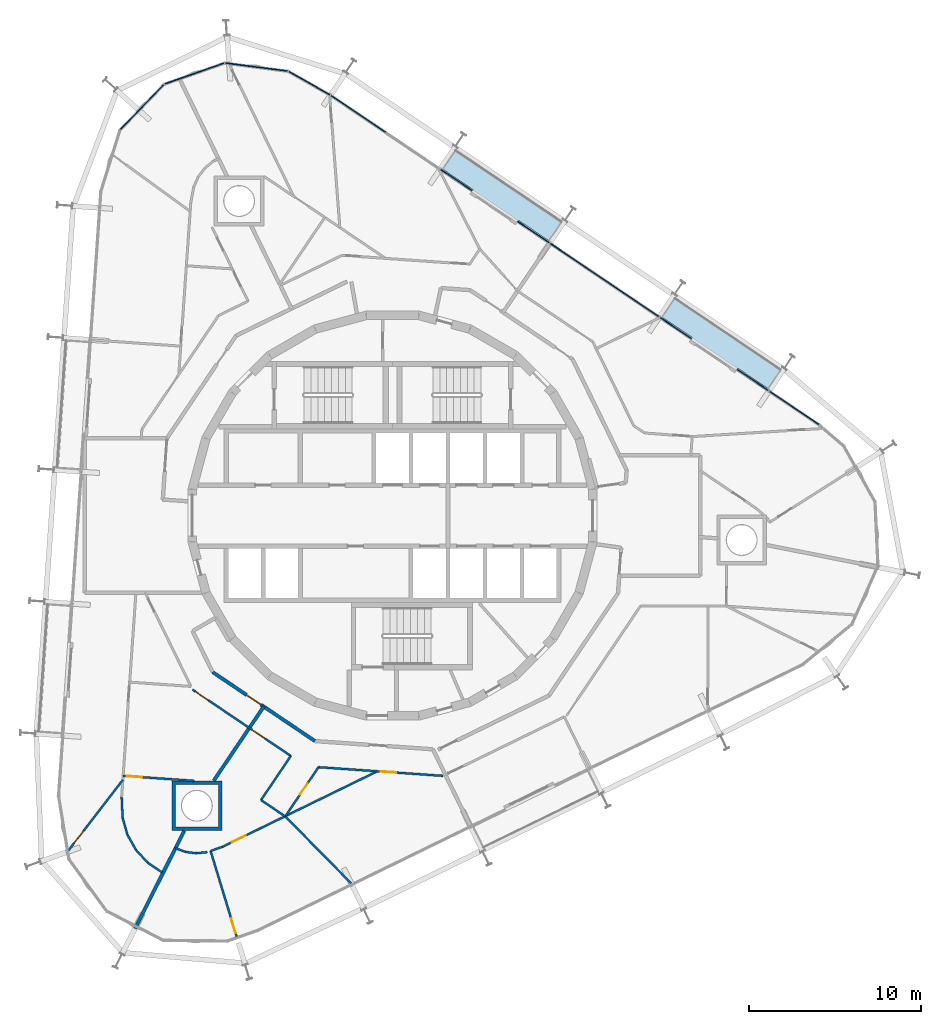
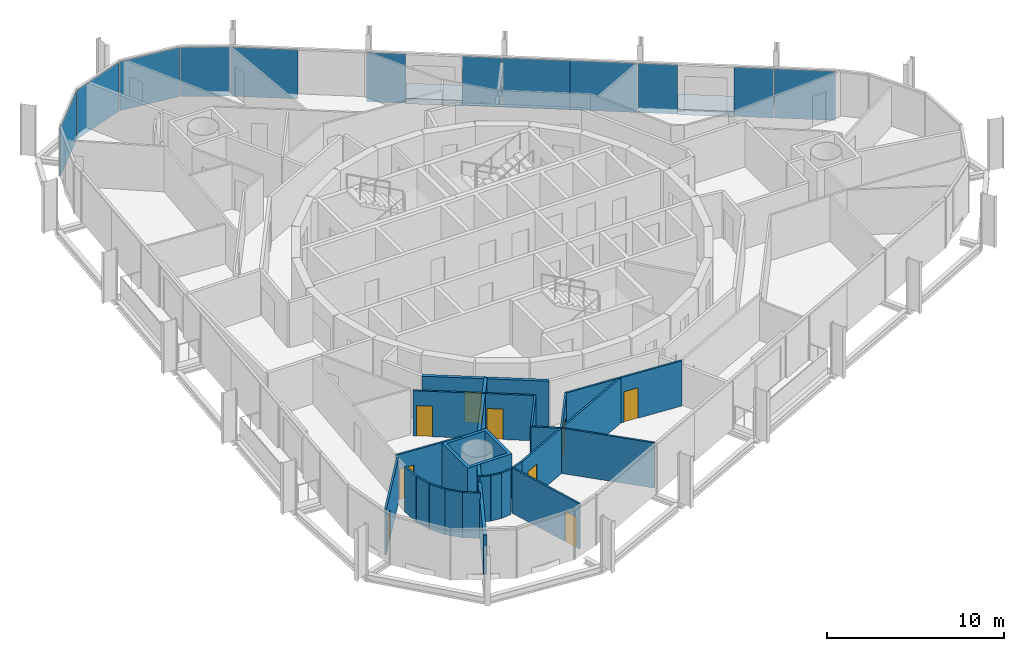
# One storey, part 11 of 17: 24 walls, 12 plates, 9 doors, 2 slabs, 9 openings, 3 elements without a shape of their own.
"""IFC4 building model written with IfcOpenShell, lengths in metres."""

from ifc_helpers import new_model, si_unit, direction, frame, frame_2d, origin, origin_2d, place, context, subcontext, project, spatial, polyline, rectangle, outline, extrude, material, layer, layer_set, type_object, element, fill, aggregate, save


model = new_model("IFC4")

# Units and contexts
model_context = context("Model", 3, precision=1e-05, world=origin(), true_north=direction((0.0, 1.0)))
body_context = subcontext(model_context, "Body", "Model", "MODEL_VIEW")
ifc_project = project(units=[si_unit("LENGTHUNIT", "METRE"), si_unit("AREAUNIT", "SQUARE_METRE"), si_unit("VOLUMEUNIT", "CUBIC_METRE"), si_unit("PLANEANGLEUNIT", "RADIAN"), si_unit("MASSUNIT", "GRAM", prefix="KILO")], contexts=[model_context])

# Site, building, storey
site_placement = place(None, origin())
site = spatial("IfcSite", under=ifc_project, at=site_placement, CompositionType="ELEMENT")
building_placement = place(site_placement, origin())
building = spatial("IfcBuilding", under=site, at=building_placement, Name="Spindle Arch Residences", CompositionType="ELEMENT")
storey_placement = place(building_placement, frame((0.0, 0.0, 212.89990234375)))
storey = spatial("IfcBuildingStorey", under=building, at=storey_placement, Name="L54", CompositionType="ELEMENT", Elevation=212.89990234375)

# Slabs
ifc_material_1 = material(Name="Concrete C40/50", Category="concrete")
ifc_layer_1 = layer(ifc_material_1, 0.3798828125)
ifc_layer_set_1 = layer_set([ifc_layer_1], Name="Balcony slab 380")
slab_type = type_object("IfcSlabType", Name="Balcony slab 380", PredefinedType="FLOOR", material=ifc_layer_set_1)
slab_1_placement = place(storey_placement, frame((0.0, 0.0, -0.3798828125)))
element("IfcSlab", 1, at=slab_1_placement, inside=storey, type_object=slab_type, Name="Balcony L54 bay 6", PredefinedType="FLOOR", context=body_context, shape_type="SweptSolid", body=[
    extrude(outline(polyline([(22.720703125, 8.594970703125), (22.658447265625, 8.63671875), (22.57470703125, 8.512451171875), (16.445068359375, 12.64697265625), (16.52880859375, 12.771240234375), (16.466796875, 12.813232421875), (15.633544921875, 11.578125), (17.43408203125, 10.363525390625), (17.344482421875, 10.23095703125), (19.99755859375, 8.44140625), (20.0869140625, 8.57421875), (21.887451171875, 7.359619140625), (22.720703125, 8.594970703125)])), origin(), (0.0, 0.0, 1.0), 0.3798828125),
])
slab_2_placement = place(storey_placement, frame((0.0, 0.0, -0.3798828125)))
element("IfcSlab", 2, at=slab_2_placement, inside=storey, type_object=slab_type, Name="Balcony L54 bay 8", PredefinedType="FLOOR", context=body_context, shape_type="SweptSolid", body=[
    extrude(outline(polyline([(9.9638671875, 17.199462890625), (9.90185546875, 17.241455078125), (9.81787109375, 17.116943359375), (3.688232421875, 21.25146484375), (3.772216796875, 21.3759765625), (3.7099609375, 21.417724609375), (2.876708984375, 20.1826171875), (4.67724609375, 18.968017578125), (4.587890625, 18.83544921875), (7.24072265625, 17.0458984375), (7.330322265625, 17.1787109375), (9.130859375, 15.964111328125), (9.9638671875, 17.199462890625)])), origin(), (0.0, 0.0, 1.0), 0.3798828125),
])

# Curtain wall, plate
ifc_material_2 = material(Name="Aluminium bronze unitised frame with tinted glass", Category="aluminium")
ifc_layer_2 = layer(ifc_material_2, 0.159912109375)
ifc_layer_set_2 = layer_set([ifc_layer_2], Name="CW-D corner wall on the fillet arcs")
curtain_wall_type_1 = type_object("IfcCurtainWallType", Name="CW-D corner wall on the fillet arcs", PredefinedType="NOTDEFINED", material=ifc_layer_set_2)
curtain_wall_1_placement = place(storey_placement, origin())
curtain_wall_1 = element("IfcCurtainWall", 3, at=curtain_wall_1_placement, inside=storey, type_object=curtain_wall_type_1, Name="CW-D L54 run 1", PredefinedType="NOTDEFINED")
ifc_material_3 = material(Name="Tinted double glazing over aluminium faced non-combustible spandrel zone (K0)", Category="aluminium")
ifc_layer_3 = layer(ifc_material_3, 0.06005859375)
ifc_layer_set_3 = layer_set([ifc_layer_3], Name="Unitised glass panel with E 60 spandrel zone")
plate_type = type_object("IfcPlateType", Name="Unitised glass panel with E 60 spandrel zone", PredefinedType="CURTAIN_PANEL", material=ifc_layer_set_3)
plate_1_placement = place(storey_placement, frame((23.36767578125, 6.264892578125, -0.3798828125), z_axis=(0.0, 0.0, 1.0), x_axis=(-0.829037572555, 0.559192903471, 0.0)))
plate_1 = element("IfcPlate", 4, at=plate_1_placement, type_object=plate_type, Name="CW-D unit 06", PredefinedType="CURTAIN_PANEL", context=body_context, shape_type="SweptSolid", body=[
    extrude(rectangle(XDim=3.468505859375, YDim=0.06005859375, at=origin_2d()), origin(), (0.0, 0.0, 1.0), 3.3798828125),
])
aggregate(curtain_wall_1, [plate_1])

# Curtain wall, plates
ifc_material_4 = material(Name="Aluminium bronze unitised frame with tinted glass", Category="aluminium")
ifc_layer_4 = layer(ifc_material_4, 0.159912109375)
ifc_layer_set_4 = layer_set([ifc_layer_4], Name="CW-C typical residential unitised wall")
curtain_wall_type_2 = type_object("IfcCurtainWallType", Name="CW-C typical residential unitised wall", PredefinedType="NOTDEFINED", material=ifc_layer_set_4)
curtain_wall_2_placement = place(storey_placement, origin())
curtain_wall_2 = element("IfcCurtainWall", 5, at=curtain_wall_2_placement, inside=storey, type_object=curtain_wall_type_2, Name="CW-C L54 run 2", PredefinedType="NOTDEFINED")
plate_2_placement = place(storey_placement, frame((20.961181640625, 7.887939453125, -0.3798828125), z_axis=(0.0, 0.0, 1.0), x_axis=(-0.829037572555, 0.559192903471, 0.0)))
plate_2 = element("IfcPlate", 6, at=plate_2_placement, type_object=plate_type, Name="CW-C unit 05L", PredefinedType="CURTAIN_PANEL", context=body_context, shape_type="SweptSolid", body=[
    extrude(rectangle(XDim=2.216796875, YDim=0.06005859375, at=origin_2d()), origin(), (0.0, 0.0, 1.0), 3.3798828125),
])
plate_3_placement = place(storey_placement, frame((16.470458984375, 10.9169921875, -0.3798828125), z_axis=(0.0, 0.0, 1.0), x_axis=(-0.829037572555, 0.559192903471, 0.0)))
plate_3 = element("IfcPlate", 7, at=plate_3_placement, type_object=plate_type, Name="CW-C unit 05R", PredefinedType="CURTAIN_PANEL", context=body_context, shape_type="SweptSolid", body=[
    extrude(rectangle(XDim=2.216796875, YDim=0.06005859375, at=origin_2d()), origin(), (0.0, 0.0, 1.0), 3.3798828125),
])
plate_4_placement = place(storey_placement, frame((13.919677734375, 12.6376953125, -0.3798828125), z_axis=(0.0, 0.0, 1.0), x_axis=(-0.829037572555, 0.559192903471, 0.0)))
plate_4 = element("IfcPlate", 8, at=plate_4_placement, type_object=plate_type, Name="CW-C unit 06A", PredefinedType="CURTAIN_PANEL", context=body_context, shape_type="SweptSolid", body=[
    extrude(rectangle(XDim=3.81689453125, YDim=0.06005859375, at=origin_2d()), origin(), (0.0, 0.0, 1.0), 3.3798828125),
])
plate_5_placement = place(storey_placement, frame((10.75537109375, 14.77197265625, -0.3798828125), z_axis=(0.0, 0.0, 1.0), x_axis=(-0.829037572555, 0.559192903471, 0.0)))
plate_5 = element("IfcPlate", 9, at=plate_5_placement, type_object=plate_type, Name="CW-C unit 06B", PredefinedType="CURTAIN_PANEL", context=body_context, shape_type="SweptSolid", body=[
    extrude(rectangle(XDim=3.81689453125, YDim=0.06005859375, at=origin_2d()), origin(), (0.0, 0.0, 1.0), 3.3798828125),
])
plate_6_placement = place(storey_placement, frame((8.204345703125, 16.492431640625, -0.3798828125), z_axis=(0.0, 0.0, 1.0), x_axis=(-0.829037572555, 0.559192903471, 0.0)))
plate_6 = element("IfcPlate", 10, at=plate_6_placement, type_object=plate_type, Name="CW-C unit 07L", PredefinedType="CURTAIN_PANEL", context=body_context, shape_type="SweptSolid", body=[
    extrude(rectangle(XDim=2.216796875, YDim=0.06005859375, at=origin_2d()), origin(), (0.0, 0.0, 1.0), 3.3798828125),
])
plate_7_placement = place(storey_placement, frame((3.713623046875, 19.521484375, -0.3798828125), z_axis=(0.0, 0.0, 1.0), x_axis=(-0.829037572555, 0.559192903471, 0.0)))
plate_7 = element("IfcPlate", 11, at=plate_7_placement, type_object=plate_type, Name="CW-C unit 07R", PredefinedType="CURTAIN_PANEL", context=body_context, shape_type="SweptSolid", body=[
    extrude(rectangle(XDim=2.216796875, YDim=0.06005859375, at=origin_2d()), origin(), (0.0, 0.0, 1.0), 3.3798828125),
])
plate_8_placement = place(storey_placement, frame((-2.00146484375, 23.37646484375, -0.3798828125), z_axis=(0.0, 0.0, 1.0), x_axis=(-0.829037572555, 0.559192903471, 0.0)))
plate_8 = element("IfcPlate", 12, at=plate_8_placement, type_object=plate_type, Name="CW-C unit 08B", PredefinedType="CURTAIN_PANEL", context=body_context, shape_type="SweptSolid", body=[
    extrude(rectangle(XDim=3.81689453125, YDim=0.06005859375, at=origin_2d()), origin(), (0.0, 0.0, 1.0), 3.3798828125),
])
aggregate(curtain_wall_2, [plate_2, plate_3, plate_4, plate_5, plate_6, plate_7, plate_8])

curtain_wall_3_placement = place(storey_placement, origin())
curtain_wall_3 = element("IfcCurtainWall", 13, at=curtain_wall_3_placement, inside=storey, type_object=curtain_wall_type_1, Name="CW-D L54 run 3", PredefinedType="NOTDEFINED")
plate_9_placement = place(storey_placement, frame((-4.84130859375, 25.16064453125, -0.3798828125), z_axis=(0.0, 0.0, 1.0), x_axis=(-0.86953871595, 0.493864780547, 0.0)))
plate_9 = element("IfcPlate", 14, at=plate_9_placement, type_object=plate_type, Name="CW-D unit 00", PredefinedType="CURTAIN_PANEL", context=body_context, shape_type="SweptSolid", body=[
    extrude(rectangle(XDim=2.775634765625, YDim=0.06005859375, at=origin_2d()), origin(), (0.0, 0.0, 1.0), 3.3798828125),
])
plate_10_placement = place(storey_placement, frame((-7.92236328125, 26.0986328125, -0.3798828125), z_axis=(0.0, 0.0, 1.0), x_axis=(-0.991820351023, 0.127641651888, 0.0)))
plate_10 = element("IfcPlate", 15, at=plate_10_placement, type_object=plate_type, Name="CW-D unit 01", PredefinedType="CURTAIN_PANEL", context=body_context, shape_type="SweptSolid", body=[
    extrude(rectangle(XDim=3.666748046875, YDim=0.06005859375, at=origin_2d()), origin(), (0.0, 0.0, 1.0), 3.3798828125),
])
plate_11_placement = place(storey_placement, frame((-11.52880859375, 25.7197265625, -0.3798828125), z_axis=(0.0, 0.0, 1.0), x_axis=(-0.943608508302, -0.331063412445, 0.0)))
plate_11 = element("IfcPlate", 16, at=plate_11_placement, type_object=plate_type, Name="CW-D unit 02", PredefinedType="CURTAIN_PANEL", context=body_context, shape_type="SweptSolid", body=[
    extrude(rectangle(XDim=3.666748046875, YDim=0.06005859375, at=origin_2d()), origin(), (0.0, 0.0, 1.0), 3.3798828125),
])
plate_12_placement = place(storey_placement, frame((-14.58154296875, 23.762451171875, -0.3798828125), z_axis=(0.0, 0.0, 1.0), x_axis=(-0.694658368802, -0.719339801939, 0.0)))
plate_12 = element("IfcPlate", 17, at=plate_12_placement, type_object=plate_type, Name="CW-D unit 03", PredefinedType="CURTAIN_PANEL", context=body_context, shape_type="SweptSolid", body=[
    extrude(rectangle(XDim=3.666748046875, YDim=0.06005859375, at=origin_2d()), origin(), (0.0, 0.0, 1.0), 3.3798828125),
])
aggregate(curtain_wall_3, [plate_9, plate_10, plate_11, plate_12])

# Wall, opening, door
ifc_material_5 = material(Name="Calcium silicate block, plastered")
ifc_layer_5 = layer(ifc_material_5, 0.199951171875)
ifc_layer_set_5 = layer_set([ifc_layer_5], Name="Corridor wall 200")
wall_type_1 = type_object("IfcWallType", Name="Corridor wall 200", PredefinedType="STANDARD", material=ifc_layer_set_5)
wall_1_placement = place(storey_placement, frame((-10.469970703125, -9.101318359375, 0.0), z_axis=(0.0, 0.0, 1.0), x_axis=(0.829035841718, -0.559195469534, 0.0)))
wall_1 = element("IfcWall", 18, at=wall_1_placement, inside=storey, type_object=wall_type_1, Name="Corridor wall R5C1-W017", PredefinedType="STANDARD", context=body_context, shape_type="SweptSolid", body=[
    extrude(rectangle(XDim=7.18115234375, YDim=0.199951171875, at=frame_2d((3.590576171875, 0.0))), origin(), (0.0, 0.0, 1.0), 3.1201171875),
])
opening_1_placement = place(wall_1_placement, frame((2.390380859375, 0.0, 0.0)))
opening_1 = element("IfcOpeningElement", 19, at=opening_1_placement, cuts=wall_1, Name="Opening R5C1-FD04", PredefinedType="OPENING", context=body_context, shape_type="SweptSolid", body=[
    extrude(rectangle(XDim=1.0, YDim=2.10009765625, at=frame_2d((0.5, 1.050048828125))), frame((0.0, 0.10986328125, 0.0), z_axis=(0.0, -1.0, 0.0), x_axis=(1.0, 0.0, 0.0)), (0.0, 0.0, 1.0), 0.219970703125),
])
ifc_material_6 = material(Name="Timber, fire-resisting door set", Category="wood")
door_type_1 = type_object("IfcDoorType", Name="Flat entrance door 1000x2100", OperationType="NOTDEFINED", PredefinedType="DOOR", material=ifc_material_6)
door_1_placement = place(opening_1_placement, origin())
door_1 = element("IfcDoor", 20, at=door_1_placement, inside=storey, type_object=door_type_1, Name="Flat entrance door R5C1-FD04", OperationType="SINGLE_SWING_RIGHT", OverallHeight=2.10009765625, OverallWidth=1.0, PredefinedType="DOOR", context=body_context, shape_type="SweptSolid", body=[
    extrude(rectangle(XDim=1.0, YDim=2.10009765625, at=frame_2d((0.5, 1.050048828125))), frame((0.0, 0.02490234375, 0.0), z_axis=(0.0, -1.0, 0.0), x_axis=(1.0, 0.0, 0.0)), (0.0, 0.0, 1.0), 0.050048828125),
])
fill(opening_1, door_1)

# Wall, openings, doors
ifc_material_7 = material(Name="Plasterboard on steel studs", Category="steel")
ifc_layer_6 = layer(ifc_material_7, 0.1201171875)
ifc_layer_set_6 = layer_set([ifc_layer_6], Name="Flat partition 120")
wall_type_2 = type_object("IfcWallType", Name="Flat partition 120", PredefinedType="PARTITIONING", material=ifc_layer_set_6)
wall_2_placement = place(storey_placement, frame((-11.641845703125, -10.1201171875, 0.0), z_axis=(0.0, 0.0, 1.0), x_axis=(0.829029427133, -0.559204979365, 0.0)))
wall_2 = element("IfcWall", 21, at=wall_2_placement, inside=storey, type_object=wall_type_2, Name="Flat partition R5C1-W072", PredefinedType="PARTITIONING", context=body_context, shape_type="SweptSolid", body=[
    extrude(rectangle(XDim=6.90380859375, YDim=0.1201171875, at=frame_2d((3.451904296875, 0.0))), origin(), (0.0, 0.0, 1.0), 3.1201171875),
])
opening_2_placement = place(wall_2_placement, frame((0.199951171875, 0.0, 0.0)))
opening_2 = element("IfcOpeningElement", 22, at=opening_2_placement, cuts=wall_2, Name="Opening R5C1-ID14", PredefinedType="OPENING", context=body_context, shape_type="SweptSolid", body=[
    extrude(rectangle(XDim=0.89990234375, YDim=2.10009765625, at=frame_2d((0.449951171875, 1.050048828125))), frame((0.0, 0.070068359375, 0.0), z_axis=(0.0, -1.0, 0.0), x_axis=(1.0, 0.0, 0.0)), (0.0, 0.0, 1.0), 0.14013671875),
])
opening_3_placement = place(wall_2_placement, frame((4.1923828125, 0.0, 0.0)))
opening_3 = element("IfcOpeningElement", 23, at=opening_3_placement, cuts=wall_2, Name="Opening R5C1-ID18", PredefinedType="OPENING", context=body_context, shape_type="SweptSolid", body=[
    extrude(rectangle(XDim=0.89990234375, YDim=2.10009765625, at=frame_2d((0.449951171875, 1.050048828125))), frame((0.0, 0.070068359375, 0.0), z_axis=(0.0, -1.0, 0.0), x_axis=(1.0, 0.0, 0.0)), (0.0, 0.0, 1.0), 0.14013671875),
])
ifc_material_8 = material(Name="Timber door set", Category="wood")
door_type_2 = type_object("IfcDoorType", Name="Room door 900x2100", OperationType="NOTDEFINED", PredefinedType="DOOR", material=ifc_material_8)
door_2_placement = place(opening_2_placement, origin())
door_2 = element("IfcDoor", 24, at=door_2_placement, inside=storey, type_object=door_type_2, Name="Room door R5C1-ID14", OperationType="SINGLE_SWING_RIGHT", OverallHeight=2.10009765625, OverallWidth=0.89990234375, PredefinedType="DOOR", context=body_context, shape_type="SweptSolid", body=[
    extrude(rectangle(XDim=0.89990234375, YDim=2.10009765625, at=frame_2d((0.449951171875, 1.050048828125))), frame((0.0, 0.02490234375, 0.0), z_axis=(0.0, -1.0, 0.0), x_axis=(1.0, 0.0, 0.0)), (0.0, 0.0, 1.0), 0.050048828125),
])
fill(opening_2, door_2)
door_3_placement = place(opening_3_placement, origin())
door_3 = element("IfcDoor", 25, at=door_3_placement, inside=storey, type_object=door_type_2, Name="Room door R5C1-ID18", OperationType="SINGLE_SWING_LEFT", OverallHeight=2.10009765625, OverallWidth=0.89990234375, PredefinedType="DOOR", context=body_context, shape_type="SweptSolid", body=[
    extrude(rectangle(XDim=0.89990234375, YDim=2.10009765625, at=frame_2d((0.449951171875, 1.050048828125))), frame((0.0, 0.02490234375, 0.0), z_axis=(0.0, -1.0, 0.0), x_axis=(1.0, 0.0, 0.0)), (0.0, 0.0, 1.0), 0.050048828125),
])
fill(opening_3, door_3)

# Wall, opening, door
wall_3_placement = place(storey_placement, frame((-18.892333984375, -19.530517578125, 0.0), z_axis=(0.0, 0.0, 1.0), x_axis=(0.610347240441, 0.792133982408, 0.0)))
wall_3 = element("IfcWall", 26, at=wall_3_placement, inside=storey, type_object=wall_type_2, Name="Flat partition R5C1-W075", PredefinedType="PARTITIONING", context=body_context, shape_type="SweptSolid", body=[
    extrude(rectangle(XDim=5.244384765625, YDim=0.1201171875, at=frame_2d((2.6220703125, 0.0))), origin(), (0.0, 0.0, 1.0), 3.1201171875),
])
opening_4_placement = place(wall_3_placement, frame((0.60009765625, 0.0, 0.0)))
opening_4 = element("IfcOpeningElement", 27, at=opening_4_placement, cuts=wall_3, Name="Opening R5C1-ID17", PredefinedType="OPENING", context=body_context, shape_type="SweptSolid", body=[
    extrude(rectangle(XDim=0.89990234375, YDim=2.10009765625, at=frame_2d((0.449951171875, 1.050048828125))), frame((0.0, 0.070068359375, 0.0), z_axis=(0.0, -1.0, 0.0), x_axis=(1.0, 0.0, 0.0)), (0.0, 0.0, 1.0), 0.14013671875),
])
door_4_placement = place(opening_4_placement, origin())
door_4 = element("IfcDoor", 28, at=door_4_placement, inside=storey, type_object=door_type_2, Name="Room door R5C1-ID17", OperationType="SINGLE_SWING_RIGHT", OverallHeight=2.10009765625, OverallWidth=0.89990234375, PredefinedType="DOOR", context=body_context, shape_type="SweptSolid", body=[
    extrude(rectangle(XDim=0.89990234375, YDim=2.10009765625, at=frame_2d((0.449951171875, 1.050048828125))), frame((0.0, 0.02490234375, 0.0), z_axis=(0.0, -1.0, 0.0), x_axis=(1.0, 0.0, 0.0)), (0.0, 0.0, 1.0), 0.050048828125),
])
fill(opening_4, door_4)

wall_4_placement = place(storey_placement, frame((-15.675048828125, -15.14111328125, 0.0), z_axis=(0.0, 0.0, 1.0), x_axis=(0.997563107735, -0.06976995117, 0.0)))
wall_4 = element("IfcWall", 29, at=wall_4_placement, inside=storey, type_object=wall_type_2, Name="Flat partition R5C1-W076", PredefinedType="PARTITIONING", context=body_context, shape_type="SweptSolid", body=[
    extrude(rectangle(XDim=4.146484375, YDim=0.1201171875, at=frame_2d((2.0732421875, 0.0))), origin(), (0.0, 0.0, 1.0), 3.1201171875),
])
opening_5_placement = place(wall_4_placement, frame((0.199951171875, 0.0, 0.0)))
opening_5 = element("IfcOpeningElement", 30, at=opening_5_placement, cuts=wall_4, Name="Opening R5C1-ID16", PredefinedType="OPENING", context=body_context, shape_type="SweptSolid", body=[
    extrude(rectangle(XDim=0.89990234375, YDim=2.10009765625, at=frame_2d((0.449951171875, 1.050048828125))), frame((0.0, 0.070068359375, 0.0), z_axis=(0.0, -1.0, 0.0), x_axis=(1.0, 0.0, 0.0)), (0.0, 0.0, 1.0), 0.14013671875),
])
door_5_placement = place(opening_5_placement, origin())
door_5 = element("IfcDoor", 31, at=door_5_placement, inside=storey, type_object=door_type_2, Name="Room door R5C1-ID16", OperationType="SINGLE_SWING_RIGHT", OverallHeight=2.10009765625, OverallWidth=0.89990234375, PredefinedType="DOOR", context=body_context, shape_type="SweptSolid", body=[
    extrude(rectangle(XDim=0.89990234375, YDim=2.10009765625, at=frame_2d((0.449951171875, 1.050048828125))), frame((0.0, 0.02490234375, 0.0), z_axis=(0.0, -1.0, 0.0), x_axis=(1.0, 0.0, 0.0)), (0.0, 0.0, 1.0), 0.050048828125),
])
fill(opening_5, door_5)

# Walls
for number, where, z_axis, x_axis, name in (
    (32, (-13.39501953125, -20.767333984375, 0.0), (0.0, 0.0, 1.0), (-0.829155030747, 0.559018725077, 0.0), "Flat partition R5C1-W077"),
    (33, (-14.2373046875, -20.199462890625, 0.0), (0.0, 0.0, 1.0), (-0.677681015856, 0.735355995929, 0.0), "Flat partition R5C1-W078"),
):
    element("IfcWall", number, at=place(storey_placement, frame(where, z_axis=z_axis, x_axis=x_axis)), inside=storey, type_object=wall_type_2, Name=name, PredefinedType="PARTITIONING", context=body_context, shape_type="SweptSolid", body=[
        extrude(rectangle(XDim=1.015869140625, YDim=0.1201171875, at=frame_2d((0.5078125, 0.0))), origin(), (0.0, 0.0, 1.0), 3.1201171875),
    ])
wall_5_placement = place(storey_placement, frame((-14.92578125, -19.452392578125, 0.0), z_axis=(0.0, 0.0, 1.0), x_axis=(-0.489941776958, 0.871755157823, 0.0)))
element("IfcWall", 34, at=wall_5_placement, inside=storey, type_object=wall_type_2, Name="Flat partition R5C1-W079", PredefinedType="PARTITIONING", context=body_context, shape_type="SweptSolid", body=[
    extrude(rectangle(XDim=1.01611328125, YDim=0.1201171875, at=frame_2d((0.508056640625, 0.0))), origin(), (0.0, 0.0, 1.0), 3.1201171875),
])
wall_6_placement = place(storey_placement, frame((-15.423583984375, -18.566650390625, 0.0), z_axis=(0.0, 0.0, 1.0), x_axis=(-0.275641454312, 0.961260520704, 0.0)))
element("IfcWall", 35, at=wall_6_placement, inside=storey, type_object=wall_type_2, Name="Flat partition R5C1-W080", PredefinedType="PARTITIONING", context=body_context, shape_type="SweptSolid", body=[
    extrude(rectangle(XDim=1.015869140625, YDim=0.1201171875, at=frame_2d((0.5078125, 0.0))), origin(), (0.0, 0.0, 1.0), 3.1201171875),
])
wall_7_placement = place(storey_placement, frame((-15.70361328125, -17.590087890625, 0.0), z_axis=(0.0, 0.0, 1.0), x_axis=(-0.046364428258, 0.998924591645, 0.0)))
element("IfcWall", 36, at=wall_7_placement, inside=storey, type_object=wall_type_2, Name="Flat partition R5C1-W081", PredefinedType="PARTITIONING", context=body_context, shape_type="SweptSolid", body=[
    extrude(rectangle(XDim=1.226806640625, YDim=0.1201171875, at=frame_2d((0.61328125, 0.0))), origin(), (0.0, 0.0, 1.0), 3.1201171875),
])
wall_8_placement = place(storey_placement, frame((-5.91845703125, -13.980712890625, 0.0), z_axis=(0.0, 0.0, 1.0), x_axis=(-0.559254999968, -0.828995684555, 0.0)))
element("IfcWall", 37, at=wall_8_placement, inside=storey, type_object=wall_type_2, Name="Flat partition R5C1-W082", PredefinedType="PARTITIONING", context=body_context, shape_type="SweptSolid", body=[
    extrude(rectangle(XDim=3.09912109375, YDim=0.1201171875, at=frame_2d((1.549560546875, 0.0))), origin(), (0.0, 0.0, 1.0), 3.1201171875),
])
wall_9_placement = place(storey_placement, frame((-7.651611328125, -16.5498046875, 0.0), z_axis=(0.0, 0.0, 1.0), x_axis=(0.829053397483, -0.559169441334, 0.0)))
element("IfcWall", 38, at=wall_9_placement, inside=storey, type_object=wall_type_2, Name="Flat partition R5C1-W083", PredefinedType="PARTITIONING", context=body_context, shape_type="SweptSolid", body=[
    extrude(rectangle(XDim=1.686279296875, YDim=0.1201171875, at=frame_2d((0.84326171875, 0.0))), origin(), (0.0, 0.0, 1.0), 3.1201171875),
])

# Wall, opening, door
wall_10_placement = place(storey_placement, frame((-6.228515625, -17.480224609375, 0.0), z_axis=(0.0, 0.0, 1.0), x_axis=(0.559206483048, 0.829028412853, 0.0)))
wall_10 = element("IfcWall", 39, at=wall_10_placement, inside=storey, type_object=wall_type_2, Name="Flat partition R5C1-W084", PredefinedType="PARTITIONING", context=body_context, shape_type="SweptSolid", body=[
    extrude(rectangle(XDim=3.431884765625, YDim=0.1201171875, at=frame_2d((1.7158203125, 0.0))), origin(), (0.0, 0.0, 1.0), 3.1201171875),
])
opening_6_placement = place(wall_10_placement, frame((1.5, 0.0, 0.0)))
opening_6 = element("IfcOpeningElement", 40, at=opening_6_placement, cuts=wall_10, Name="Opening R5C1-BD05", PredefinedType="OPENING", context=body_context, shape_type="SweptSolid", body=[
    extrude(rectangle(XDim=0.800048828125, YDim=2.10009765625, at=frame_2d((0.39990234375, 1.050048828125))), frame((0.0, 0.070068359375, 0.0), z_axis=(0.0, -1.0, 0.0), x_axis=(1.0, 0.0, 0.0)), (0.0, 0.0, 1.0), 0.14013671875),
])
ifc_material_9 = material(Name="Timber door set", Category="wood")
door_type_3 = type_object("IfcDoorType", Name="Bathroom door 800x2100", OperationType="NOTDEFINED", PredefinedType="DOOR", material=ifc_material_9)
door_6_placement = place(opening_6_placement, origin())
door_6 = element("IfcDoor", 41, at=door_6_placement, inside=storey, type_object=door_type_3, Name="Bathroom door R5C1-BD05", OperationType="SINGLE_SWING_LEFT", OverallHeight=2.10009765625, OverallWidth=0.800048828125, PredefinedType="DOOR", context=body_context, shape_type="SweptSolid", body=[
    extrude(rectangle(XDim=0.800048828125, YDim=2.10009765625, at=frame_2d((0.39990234375, 1.050048828125))), frame((0.0, 0.02490234375, 0.0), z_axis=(0.0, -1.0, 0.0), x_axis=(1.0, 0.0, 0.0)), (0.0, 0.0, 1.0), 0.050048828125),
])
fill(opening_6, door_6)

wall_11_placement = place(storey_placement, frame((-4.309326171875, -14.635009765625, 0.0), z_axis=(0.0, 0.0, 1.0), x_axis=(0.997564788147, -0.069745920658, 0.0)))
wall_11 = element("IfcWall", 42, at=wall_11_placement, inside=storey, type_object=wall_type_2, Name="Flat partition R5C1-W085", PredefinedType="PARTITIONING", context=body_context, shape_type="SweptSolid", body=[
    extrude(rectangle(XDim=7.2705078125, YDim=0.1201171875, at=frame_2d((3.63525390625, 0.0))), origin(), (0.0, 0.0, 1.0), 3.1201171875),
])
opening_7_placement = place(wall_11_placement, frame((3.632080078125, 0.0, 0.0)))
opening_7 = element("IfcOpeningElement", 43, at=opening_7_placement, cuts=wall_11, Name="Opening R5C1-ID19", PredefinedType="OPENING", context=body_context, shape_type="SweptSolid", body=[
    extrude(rectangle(XDim=0.89990234375, YDim=2.10009765625, at=frame_2d((0.449951171875, 1.050048828125))), frame((0.0, 0.070068359375, 0.0), z_axis=(0.0, -1.0, 0.0), x_axis=(1.0, 0.0, 0.0)), (0.0, 0.0, 1.0), 0.14013671875),
])
door_7_placement = place(opening_7_placement, origin())
door_7 = element("IfcDoor", 44, at=door_7_placement, inside=storey, type_object=door_type_2, Name="Room door R5C1-ID19", OperationType="SINGLE_SWING_LEFT", OverallHeight=2.10009765625, OverallWidth=0.89990234375, PredefinedType="DOOR", context=body_context, shape_type="SweptSolid", body=[
    extrude(rectangle(XDim=0.89990234375, YDim=2.10009765625, at=frame_2d((0.449951171875, 1.050048828125))), frame((0.0, 0.02490234375, 0.0), z_axis=(0.0, -1.0, 0.0), x_axis=(1.0, 0.0, 0.0)), (0.0, 0.0, 1.0), 0.050048828125),
])
fill(opening_7, door_7)

# Walls
wall_12_placement = place(storey_placement, frame((-12.627685546875, -19.3466796875, 0.0), z_axis=(0.0, 0.0, 1.0), x_axis=(0.935507243946, -0.353307509862, 0.0)))
element("IfcWall", 45, at=wall_12_placement, inside=storey, type_object=wall_type_2, Name="Flat partition R5C1-W086", PredefinedType="PARTITIONING", context=body_context, shape_type="SweptSolid", body=[
    extrude(rectangle(XDim=0.6123046875, YDim=0.1201171875, at=frame_2d((0.30615234375, 0.0))), origin(), (0.0, 0.0, 1.0), 3.1201171875),
])
wall_13_placement = place(storey_placement, frame((-12.054931640625, -19.56298828125, 0.0), z_axis=(0.0, 0.0, 1.0), x_axis=(0.991802759529, -0.127778269633, 0.0)))
element("IfcWall", 46, at=wall_13_placement, inside=storey, type_object=wall_type_2, Name="Flat partition R5C1-W087", PredefinedType="PARTITIONING", context=body_context, shape_type="SweptSolid", body=[
    extrude(rectangle(XDim=0.64208984375, YDim=0.1201171875, at=frame_2d((0.321044921875, 0.0))), origin(), (0.0, 0.0, 1.0), 3.1201171875),
])
wall_14_placement = place(storey_placement, frame((-11.418212890625, -19.64501953125, 0.0), z_axis=(0.0, 0.0, 1.0), x_axis=(0.994515867502, 0.104585798686, 0.0)))
element("IfcWall", 47, at=wall_14_placement, inside=storey, type_object=wall_type_2, Name="Flat partition R5C1-W088", PredefinedType="PARTITIONING", context=body_context, shape_type="SweptSolid", body=[
    extrude(rectangle(XDim=0.641845703125, YDim=0.1201171875, at=frame_2d((0.32080078125, 0.0))), origin(), (0.0, 0.0, 1.0), 3.1201171875),
])
wall_15_placement = place(storey_placement, frame((-10.586181640625, -19.510009765625, 0.0), z_axis=(0.0, 0.0, 1.0), x_axis=(0.943560277016, 0.3312008509, 0.0)))
element("IfcWall", 48, at=wall_15_placement, inside=storey, type_object=wall_type_2, Name="Flat partition R5C1-W089", PredefinedType="PARTITIONING", context=body_context, shape_type="SweptSolid", body=[
    extrude(rectangle(XDim=0.741455078125, YDim=0.1201171875, at=frame_2d((0.37060546875, 0.0))), origin(), (0.0, 0.0, 1.0), 3.1201171875),
])

# Wall, opening, door
wall_16_placement = place(storey_placement, frame((-9.886474609375, -19.264404296875, 0.0), z_axis=(0.0, 0.0, 1.0), x_axis=(0.898796326112, 0.43836647245, 0.0)))
wall_16 = element("IfcWall", 49, at=wall_16_placement, inside=storey, type_object=wall_type_2, Name="Flat partition R5C1-W090", PredefinedType="PARTITIONING", context=body_context, shape_type="SweptSolid", body=[
    extrude(rectangle(XDim=10.01416015625, YDim=0.1201171875, at=frame_2d((5.007080078125, 0.0))), origin(), (0.0, 0.0, 1.0), 3.1201171875),
])
opening_8_placement = place(wall_16_placement, frame((0.60009765625, 0.0, 0.0)))
opening_8 = element("IfcOpeningElement", 50, at=opening_8_placement, cuts=wall_16, Name="Opening R5C1-ID20", PredefinedType="OPENING", context=body_context, shape_type="SweptSolid", body=[
    extrude(rectangle(XDim=0.89990234375, YDim=2.10009765625, at=frame_2d((0.449951171875, 1.050048828125))), frame((0.0, 0.070068359375, 0.0), z_axis=(0.0, -1.0, 0.0), x_axis=(1.0, 0.0, 0.0)), (0.0, 0.0, 1.0), 0.14013671875),
])
door_8_placement = place(opening_8_placement, origin())
door_8 = element("IfcDoor", 51, at=door_8_placement, inside=storey, type_object=door_type_2, Name="Room door R5C1-ID20", OperationType="SINGLE_SWING_LEFT", OverallHeight=2.10009765625, OverallWidth=0.89990234375, PredefinedType="DOOR", context=body_context, shape_type="SweptSolid", body=[
    extrude(rectangle(XDim=0.89990234375, YDim=2.10009765625, at=frame_2d((0.449951171875, 1.050048828125))), frame((0.0, 0.02490234375, 0.0), z_axis=(0.0, -1.0, 0.0), x_axis=(1.0, 0.0, 0.0)), (0.0, 0.0, 1.0), 0.050048828125),
])
fill(opening_8, door_8)

wall_17_placement = place(storey_placement, frame((-9.071533203125, -24.4892578125, 0.0), z_axis=(0.0, 0.0, 1.0), x_axis=(-0.291025348593, 0.956715342449, 0.0)))
wall_17 = element("IfcWall", 52, at=wall_17_placement, inside=storey, type_object=wall_type_2, Name="Flat partition R5C1-W091", PredefinedType="PARTITIONING", context=body_context, shape_type="SweptSolid", body=[
    extrude(rectangle(XDim=5.20458984375, YDim=0.1201171875, at=frame_2d((2.602294921875, 0.0))), origin(), (0.0, 0.0, 1.0), 3.1201171875),
])
opening_9_placement = place(wall_17_placement, frame((0.199951171875, 0.0, 0.0)))
opening_9 = element("IfcOpeningElement", 53, at=opening_9_placement, cuts=wall_17, Name="Opening R5C1-ID21", PredefinedType="OPENING", context=body_context, shape_type="SweptSolid", body=[
    extrude(rectangle(XDim=0.89990234375, YDim=2.10009765625, at=frame_2d((0.449951171875, 1.050048828125))), frame((0.0, 0.070068359375, 0.0), z_axis=(0.0, -1.0, 0.0), x_axis=(1.0, 0.0, 0.0)), (0.0, 0.0, 1.0), 0.14013671875),
])
door_9_placement = place(opening_9_placement, origin())
door_9 = element("IfcDoor", 54, at=door_9_placement, inside=storey, type_object=door_type_2, Name="Room door R5C1-ID21", OperationType="SINGLE_SWING_LEFT", OverallHeight=2.10009765625, OverallWidth=0.89990234375, PredefinedType="DOOR", context=body_context, shape_type="SweptSolid", body=[
    extrude(rectangle(XDim=0.89990234375, YDim=2.10009765625, at=frame_2d((0.449951171875, 1.050048828125))), frame((0.0, 0.02490234375, 0.0), z_axis=(0.0, -1.0, 0.0), x_axis=(1.0, 0.0, 0.0)), (0.0, 0.0, 1.0), 0.050048828125),
])
fill(opening_9, door_9)

# Walls
wall_18_placement = place(storey_placement, frame((-2.402587890625, -21.39990234375, 0.0), z_axis=(0.0, 0.0, 1.0), x_axis=(-0.70162063199, 0.712550692067, 0.0)))
element("IfcWall", 55, at=wall_18_placement, inside=storey, type_object=wall_type_2, Name="Flat partition R5C1-W092", PredefinedType="PARTITIONING", context=body_context, shape_type="SweptSolid", body=[
    extrude(rectangle(XDim=5.472412109375, YDim=0.1201171875, at=frame_2d((2.736328125, 0.0))), origin(), (0.0, 0.0, 1.0), 3.1201171875),
])
ifc_material_10 = material(Name="Calcium silicate block, plastered")
ifc_layer_7 = layer(ifc_material_10, 0.199951171875)
ifc_layer_set_7 = layer_set([ifc_layer_7], Name="Flat party wall 200")
wall_type_3 = type_object("IfcWallType", Name="Flat party wall 200", PredefinedType="STANDARD", material=ifc_layer_set_7)
wall_19_placement = place(storey_placement, frame((-10.407958984375, -15.430419921875, 0.0), z_axis=(0.0, 0.0, 1.0), x_axis=(0.559199317758, 0.829033246027, 0.0)))
element("IfcWall", 56, at=wall_19_placement, inside=storey, type_object=wall_type_3, Name="Flat party wall R5C1-W034", PredefinedType="STANDARD", context=body_context, shape_type="SweptSolid", body=[
    extrude(rectangle(XDim=5.21240234375, YDim=0.199951171875, at=frame_2d((2.606201171875, 0.0))), origin(), (0.0, 0.0, 1.0), 3.1201171875),
])
wall_20_placement = place(storey_placement, frame((-12.627685546875, -19.3466796875, 0.0), z_axis=(0.0, 0.0, 1.0), x_axis=(0.449615653781, 0.8932221246, 0.0)))
element("IfcWall", 57, at=wall_20_placement, inside=storey, type_object=wall_type_3, Name="Flat party wall R5C1-W036", PredefinedType="STANDARD", context=body_context, shape_type="SweptSolid", body=[
    extrude(rectangle(XDim=1.1376953125, YDim=0.199951171875, at=frame_2d((0.56884765625, 0.0))), origin(), (0.0, 0.0, 1.0), 3.1201171875),
])
ifc_material_11 = material(Name="Calcium silicate block, plastered")
ifc_layer_8 = layer(ifc_material_11, 0.199951171875)
ifc_layer_set_8 = layer_set([ifc_layer_8], Name="Flat party wall 200 under beam 2730")
wall_type_4 = type_object("IfcWallType", Name="Flat party wall 200 under beam 2730", PredefinedType="STANDARD", material=ifc_layer_set_8)
wall_21_placement = place(storey_placement, frame((-14.9794921875, -24.017333984375, 0.0), z_axis=(0.0, 0.0, 1.0), x_axis=(0.449732900329, 0.89316309729, 0.0)))
element("IfcWall", 58, at=wall_21_placement, inside=storey, type_object=wall_type_4, Name="Flat party wall R5C1-W035", PredefinedType="STANDARD", context=body_context, shape_type="SweptSolid", body=[
    extrude(rectangle(XDim=5.229248046875, YDim=0.199951171875, at=frame_2d((2.61474609375, 0.0))), origin(), (0.0, 0.0, 1.0), 2.72998046875),
])
ifc_material_12 = material(Name="Calcium silicate block, plastered")
ifc_layer_9 = layer(ifc_material_12, 0.199951171875)
ifc_layer_set_9 = layer_set([ifc_layer_9], Name="Mega-column casing wall 200")
wall_type_5 = type_object("IfcWallType", Name="Mega-column casing wall 200", PredefinedType="STANDARD", material=ifc_layer_set_9)
wall_22_placement = place(storey_placement, origin())
element("IfcWall", 59, at=wall_22_placement, inside=storey, type_object=wall_type_5, Name="Mega-column casing wall R5C1-WC02", PredefinedType="STANDARD", context=body_context, shape_type="SweptSolid", body=[
    extrude(outline(polyline([(-9.93603515625, -15.430419921875), (-9.93603515625, -18.33056640625), (-12.8359375, -18.33056640625), (-12.8359375, -15.430419921875), (-9.93603515625, -15.430419921875)]), holes=[polyline([(-12.635986328125, -18.130615234375), (-10.135986328125, -18.130615234375), (-10.135986328125, -15.630615234375), (-12.635986328125, -15.630615234375), (-12.635986328125, -18.130615234375)])]), origin(), (0.0, 0.0, 1.0), 3.1201171875),
])

save(model, "model.ifc")
